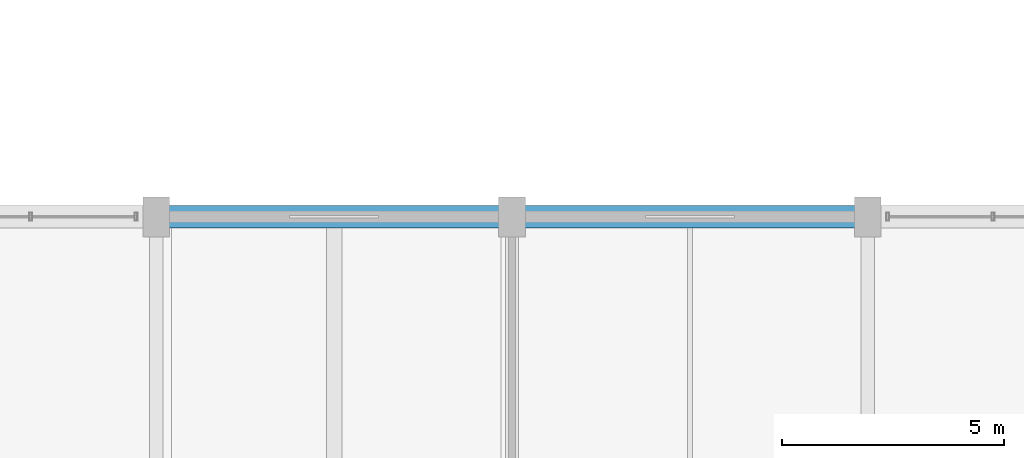
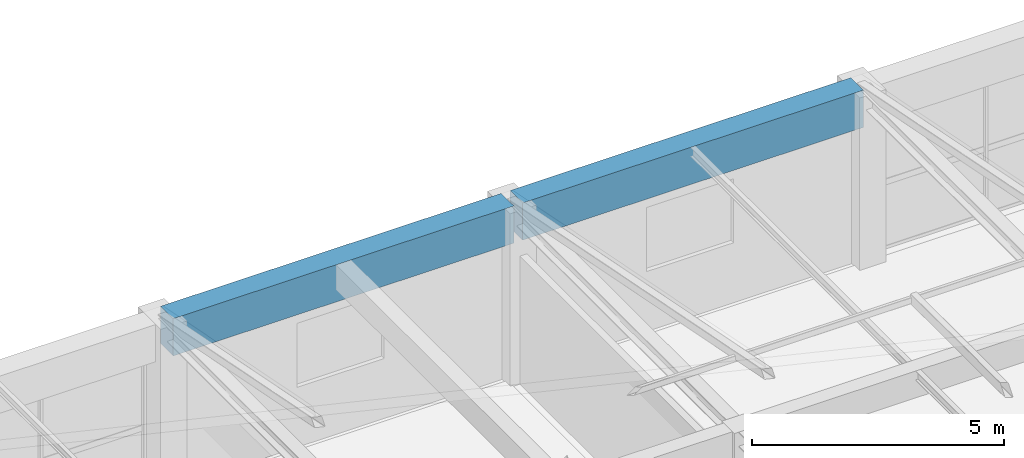
# One storey, part 20 of 65: 2 beams.
"""IFC4 building model written with IfcOpenShell, lengths in metres."""

from ifc_helpers import new_model, si_unit, direction, frame, origin, origin_2d, place, context, subcontext, project, spatial, rectangle, extrude, material, material_profile, profile_set, type_object, element, save


model = new_model("IFC4")

# Units and contexts
model_context = context("Model", 3, precision=1e-05, world=origin(), true_north=direction((0.0, 1.0)))
body_context = subcontext(model_context, "Body", "Model", "MODEL_VIEW")
ifc_project = project(units=[si_unit("LENGTHUNIT", "METRE"), si_unit("AREAUNIT", "SQUARE_METRE"), si_unit("VOLUMEUNIT", "CUBIC_METRE"), si_unit("PLANEANGLEUNIT", "RADIAN"), si_unit("MASSUNIT", "GRAM", prefix="KILO")], contexts=[model_context])

# Site, building, storey
site_placement = place(None, origin())
site = spatial("IfcSite", under=ifc_project, at=site_placement, CompositionType="ELEMENT")
building_placement = place(site_placement, origin())
building = spatial("IfcBuilding", under=site, at=building_placement, Name="Varnabhumi Central Station", CompositionType="ELEMENT")
storey_placement = place(building_placement, frame((0.0, 0.0, 24.60009765625)))
storey = spatial("IfcBuildingStorey", under=building, at=storey_placement, Name="L05", CompositionType="ELEMENT", Elevation=24.60009765625)

# Beams
ifc_material = material(Name="Concrete M40", Category="concrete")
ifc_material_profile = material_profile(ifc_material, rectangle(XDim=0.5, YDim=0.89990234375, at=origin_2d()), Name="Concrete M40", Category="concrete")
ifc_profile_set = profile_set([ifc_material_profile], Name="Concrete M40")
beam_type = type_object("IfcBeamType", Name="BM-RC-500x900", PredefinedType="BEAM", material=ifc_profile_set)
for number, where, z_axis, x_axis, name in (
    (1, (64.10009765625, 36.0, 3.75), (1.0, 0.0, 0.0), (0.0, 1.0, 0.0), "Beam L05-E:9-10"),
    (2, (72.10009765625, 36.0, 3.75), (1.0, 0.0, 0.0), (0.0, 1.0, 0.0), "Beam L05-E:10-11"),
):
    element("IfcBeam", number, at=place(storey_placement, frame(where, z_axis=z_axis, x_axis=x_axis)), inside=storey, type_object=beam_type, Name=name, PredefinedType="BEAM", context=body_context, shape_type="SweptSolid", body=[
        extrude(rectangle(XDim=0.5, YDim=0.89990234375, at=origin_2d()), origin(), (0.0, 0.0, 1.0), 7.7998046875),
    ])

save(model, "model.ifc")
